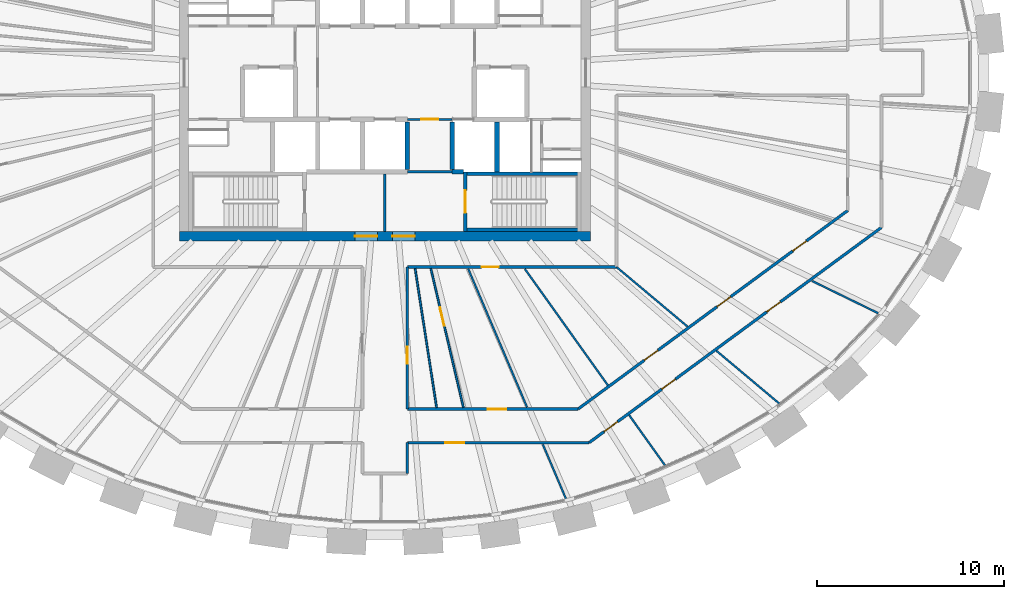
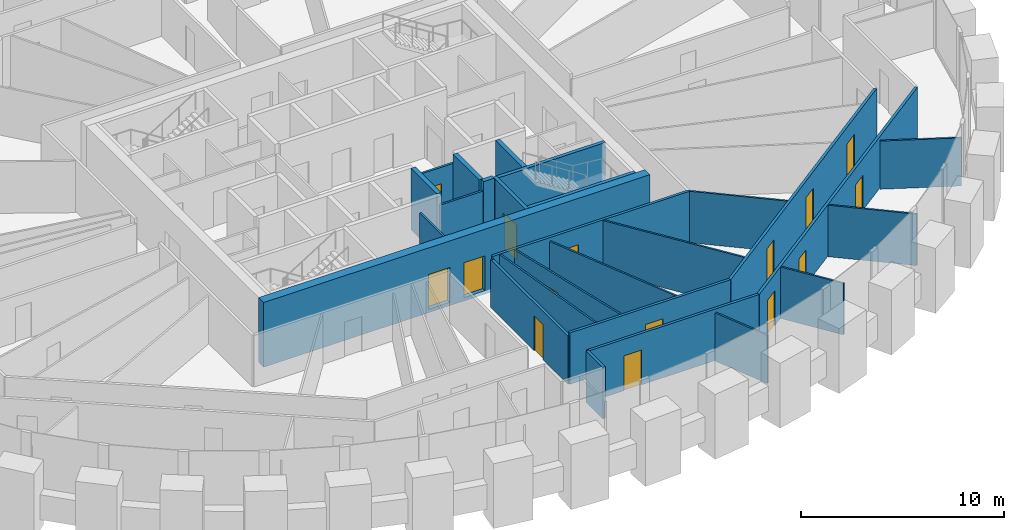
# One storey, part 8 of 12: 27 walls, 15 doors, 15 openings.
"""IFC4 building model written with IfcOpenShell, lengths in metres."""

from ifc_helpers import new_model, si_unit, direction, frame, frame_2d, origin, place, context, subcontext, project, spatial, rectangle, extrude, source, transform, mapped, material, layer, layer_set, type_object, element, fill, save


model = new_model("IFC4")

# Units and contexts
model_context = context("Model", 3, precision=1e-05, world=origin(), true_north=direction((0.0, 1.0)))
body_context = subcontext(model_context, "Body", "Model", "MODEL_VIEW")
ifc_project = project(units=[si_unit("LENGTHUNIT", "METRE"), si_unit("AREAUNIT", "SQUARE_METRE"), si_unit("VOLUMEUNIT", "CUBIC_METRE"), si_unit("PLANEANGLEUNIT", "RADIAN"), si_unit("MASSUNIT", "GRAM", prefix="KILO")], contexts=[model_context])

# Site, building, storey
site_placement = place(None, origin())
site = spatial("IfcSite", under=ifc_project, at=site_placement, CompositionType="ELEMENT")
building_placement = place(site_placement, origin())
building = spatial("IfcBuilding", under=site, at=building_placement, Name="Embergate Tower", CompositionType="ELEMENT")
storey_placement = place(building_placement, frame((0.0, 0.0, 273.39990234375)))
storey = spatial("IfcBuildingStorey", under=building, at=storey_placement, Name="L63", CompositionType="ELEMENT", Elevation=273.39990234375)

# Wall, openings, doors
ifc_material_1 = material(Name="Concrete C50", Category="concrete")
ifc_layer_1 = layer(ifc_material_1, 0.5)
ifc_layer_set_1 = layer_set([ifc_layer_1], Name="Concrete C50")
wall_type_1 = type_object("IfcWallType", Name="Core outer wall C50 500", PredefinedType="SHEAR", material=ifc_layer_set_1)
shared_shape_1 = source(origin(), body_context, "Body", "SweptSolid", [
    extrude(rectangle(XDim=22.0, YDim=0.5, at=frame_2d((11.0, 0.0))), origin(), (0.0, 0.0, 1.0), 3.900146484375),
])
wall_1_placement = place(storey_placement, frame((-11.0, -8.75, -0.199951171875), z_axis=(0.0, 0.0, 1.0), x_axis=(1.0, 0.0, 0.0)))
wall_1 = element("IfcWall", 1, at=wall_1_placement, inside=storey, type_object=wall_type_1, Name="CW-L63-S", PredefinedType="SHEAR", context=body_context, shape_type="MappedRepresentation", body=[
    mapped(shared_shape_1, transform((0.0, 0.0, 0.0))),
])
shared_shape_2 = source(origin(), body_context, "Body", "SweptSolid", [
    extrude(rectangle(XDim=1.199951171875, YDim=2.10009765625, at=frame_2d((0.60009765625, 1.050048828125))), frame((0.0, 0.260009765625, 0.0), z_axis=(0.0, -1.0, 0.0), x_axis=(1.0, 0.0, 0.0)), (0.0, 0.0, 1.0), 0.52001953125),
])
opening_1_placement = place(wall_1_placement, frame((9.39990234375, 0.0, 0.199951171875)))
opening_1 = element("IfcOpeningElement", 2, at=opening_1_placement, cuts=wall_1, Name="Opening IF-1", PredefinedType="OPENING", context=body_context, shape_type="MappedRepresentation", body=[
    mapped(shared_shape_2, transform((0.0, 0.0, 0.0))),
])
opening_2_placement = place(wall_1_placement, frame((11.39990234375, 0.0, 0.199951171875)))
opening_2 = element("IfcOpeningElement", 3, at=opening_2_placement, cuts=wall_1, Name="Opening IF-1", PredefinedType="OPENING", context=body_context, shape_type="MappedRepresentation", body=[
    mapped(shared_shape_2, transform((0.0, 0.0, 0.0))),
])
ifc_material_2 = material(Name="Escape fire door 1200")
door_type_1 = type_object("IfcDoorType", Name="Escape fire door 1200", OperationType="SINGLE_SWING_LEFT", PredefinedType="DOOR", material=ifc_material_2)
shared_shape_3 = source(origin(), body_context, "Body", "SweptSolid", [
    extrude(rectangle(XDim=1.199951171875, YDim=2.10009765625, at=frame_2d((0.60009765625, 1.050048828125))), frame((0.0, 0.02490234375, 0.0), z_axis=(0.0, -1.0, 0.0), x_axis=(1.0, 0.0, 0.0)), (0.0, 0.0, 1.0), 0.050048828125),
])
door_1_placement = place(opening_1_placement, origin())
door_1 = element("IfcDoor", 4, at=door_1_placement, inside=storey, type_object=door_type_1, Name="IF-1 door", OperationType="SINGLE_SWING_RIGHT", OverallHeight=2.10009765625, OverallWidth=1.199951171875, PredefinedType="DOOR", context=body_context, shape_type="MappedRepresentation", body=[
    mapped(shared_shape_3, transform((0.0, 0.0, 0.0))),
])
fill(opening_1, door_1)
door_2_placement = place(opening_2_placement, origin())
door_2 = element("IfcDoor", 5, at=door_2_placement, inside=storey, type_object=door_type_1, Name="IF-1 door", OperationType="SINGLE_SWING_RIGHT", OverallHeight=2.10009765625, OverallWidth=1.199951171875, PredefinedType="DOOR", context=body_context, shape_type="MappedRepresentation", body=[
    mapped(shared_shape_3, transform((0.0, 0.0, 0.0))),
])
fill(opening_2, door_2)

# Walls
ifc_layer_2 = layer(ifc_material_1, 0.25)
ifc_layer_set_2 = layer_set([ifc_layer_2], Name="Concrete C50")
wall_type_2 = type_object("IfcWallType", Name="Hoistway wall reinforced concrete 250", PredefinedType="SHEAR", material=ifc_layer_set_2)
shared_shape_4 = source(origin(), body_context, "Body", "SweptSolid", [
    extrude(rectangle(XDim=2.675048828125, YDim=0.25, at=frame_2d((1.33740234375, 0.0))), origin(), (0.0, 0.0, 1.0), 3.7001953125),
])
wall_2_placement = place(storey_placement, frame((6.0, -5.300048828125, 0.0), z_axis=(0.0, 0.0, 1.0), x_axis=(0.0, 1.0, 0.0)))
element("IfcWall", 6, at=wall_2_placement, inside=storey, type_object=wall_type_2, Name="HW-1 wall", PredefinedType="SHEAR", context=body_context, shape_type="MappedRepresentation", body=[
    mapped(shared_shape_4, transform((0.0, 0.0, 0.0))),
])
ifc_layer_3 = layer(ifc_material_1, 0.199951171875)
ifc_layer_set_3 = layer_set([ifc_layer_3], Name="Concrete C50")
wall_type_3 = type_object("IfcWallType", Name="Stair enclosure wall reinforced concrete 250", PredefinedType="SHEAR", material=ifc_layer_set_3)
shared_shape_5 = source(origin(), body_context, "Body", "SweptSolid", [
    extrude(rectangle(XDim=6.300048828125, YDim=0.199951171875, at=frame_2d((3.14990234375, 0.0))), origin(), (0.0, 0.0, 1.0), 3.7001953125),
])
wall_3_placement = place(storey_placement, frame((4.199951171875, -5.39990234375, 0.0), z_axis=(0.0, 0.0, 1.0), x_axis=(1.0, 0.0, 0.0)))
element("IfcWall", 7, at=wall_3_placement, inside=storey, type_object=wall_type_3, Name="SE-1 wall", PredefinedType="SHEAR", context=body_context, shape_type="MappedRepresentation", body=[
    mapped(shared_shape_5, transform((0.0, 0.0, 0.0))),
])
shared_shape_6 = source(origin(), body_context, "Body", "SweptSolid", [
    extrude(rectangle(XDim=2.550048828125, YDim=0.25, at=frame_2d((1.27490234375, 0.0))), origin(), (0.0, 0.0, 1.0), 3.7001953125),
])
for number, where, z_axis, x_axis, name in (
    (8, (1.199951171875, -5.175048828125, 0.0), (0.0, 0.0, 1.0), (0.0, 1.0, 0.0), "HW-1 wall"),
    (9, (3.60009765625, -2.625, 0.0), (0.0, 0.0, 1.0), (0.0, -1.0, 0.0), "HW-1 wall"),
):
    element("IfcWall", number, at=place(storey_placement, frame(where, z_axis=z_axis, x_axis=x_axis)), inside=storey, type_object=wall_type_2, Name=name, PredefinedType="SHEAR", context=body_context, shape_type="MappedRepresentation", body=[
        mapped(shared_shape_6, transform((0.0, 0.0, 0.0))),
    ])

# Wall, opening, door
shared_shape_7 = source(origin(), body_context, "Body", "SweptSolid", [
    extrude(rectangle(XDim=3.199951171875, YDim=0.199951171875, at=frame_2d((1.60009765625, 0.0))), origin(), (0.0, 0.0, 1.0), 3.7001953125),
])
wall_4_placement = place(storey_placement, frame((4.300048828125, -5.300048828125, 0.0), z_axis=(0.0, 0.0, 1.0), x_axis=(0.0, -1.0, 0.0)))
wall_4 = element("IfcWall", 10, at=wall_4_placement, inside=storey, type_object=wall_type_3, Name="SE-1 wall", PredefinedType="SHEAR", context=body_context, shape_type="MappedRepresentation", body=[
    mapped(shared_shape_7, transform((0.0, 0.0, 0.0))),
])
shared_shape_8 = source(origin(), body_context, "Body", "SweptSolid", [
    extrude(rectangle(XDim=1.199951171875, YDim=2.10009765625, at=frame_2d((0.60009765625, 1.050048828125))), frame((0.0, 0.10986328125, 0.0), z_axis=(0.0, -1.0, 0.0), x_axis=(1.0, 0.0, 0.0)), (0.0, 0.0, 1.0), 0.219970703125),
])
opening_3_placement = place(wall_4_placement, frame((1.0, 0.0, 0.0)))
opening_3 = element("IfcOpeningElement", 11, at=opening_3_placement, cuts=wall_4, Name="Opening IF-2", PredefinedType="OPENING", context=body_context, shape_type="MappedRepresentation", body=[
    mapped(shared_shape_8, transform((0.0, 0.0, 0.0))),
])
ifc_material_3 = material(Name="Stair enclosure door 1200")
door_type_2 = type_object("IfcDoorType", Name="Stair enclosure door 1200", OperationType="SINGLE_SWING_LEFT", PredefinedType="DOOR", material=ifc_material_3)
door_3_placement = place(opening_3_placement, origin())
door_3 = element("IfcDoor", 12, at=door_3_placement, inside=storey, type_object=door_type_2, Name="IF-2 door", OperationType="SINGLE_SWING_RIGHT", OverallHeight=2.10009765625, OverallWidth=1.199951171875, PredefinedType="DOOR", context=body_context, shape_type="MappedRepresentation", body=[
    mapped(shared_shape_3, transform((0.0, 0.0, 0.0))),
])
fill(opening_3, door_3)

# Wall
shared_shape_9 = source(origin(), body_context, "Body", "SweptSolid", [
    extrude(rectangle(XDim=0.599853515625, YDim=0.25, at=frame_2d((0.2998046875, 0.0))), origin(), (0.0, 0.0, 1.0), 3.7001953125),
])
wall_5_placement = place(storey_placement, frame((3.60009765625, -5.300048828125, 0.0), z_axis=(0.0, 0.0, 1.0), x_axis=(1.0, 0.0, 0.0)))
element("IfcWall", 13, at=wall_5_placement, inside=storey, type_object=wall_type_2, Name="HW-1 wall", PredefinedType="SHEAR", context=body_context, shape_type="MappedRepresentation", body=[
    mapped(shared_shape_9, transform((0.0, 0.0, 0.0))),
])

# Wall, opening, door
ifc_material_4 = material(Name="Corridor wall dry-lined 150")
ifc_layer_4 = layer(ifc_material_4, 0.14990234375)
ifc_layer_set_4 = layer_set([ifc_layer_4], Name="Corridor wall dry-lined 150")
wall_type_4 = type_object("IfcWallType", Name="Corridor wall dry-lined 150", PredefinedType="PARTITIONING", material=ifc_layer_set_4)
shared_shape_10 = source(origin(), body_context, "Body", "SweptSolid", [
    extrude(rectangle(XDim=11.199951171875, YDim=0.14990234375, at=frame_2d((5.60009765625, 0.0))), origin(), (0.0, 0.0, 1.0), 3.10009765625),
])
wall_6_placement = place(storey_placement, frame((12.39990234375, -10.39990234375, 0.0), z_axis=(0.0, 0.0, 1.0), x_axis=(-1.0, 0.0, 0.0)))
wall_6 = element("IfcWall", 14, at=wall_6_placement, inside=storey, type_object=wall_type_4, Name="IP-2 wall", PredefinedType="PARTITIONING", context=body_context, shape_type="MappedRepresentation", body=[
    mapped(shared_shape_10, transform((0.0, 0.0, 0.0))),
])
shared_shape_11 = source(origin(), body_context, "Body", "SweptSolid", [
    extrude(rectangle(XDim=0.89990234375, YDim=2.10009765625, at=frame_2d((0.449951171875, 1.050048828125))), frame((0.0, 0.0849609375, 0.0), z_axis=(0.0, -1.0, 0.0), x_axis=(1.0, 0.0, 0.0)), (0.0, 0.0, 1.0), 0.169921875),
])
opening_4_placement = place(wall_6_placement, frame((6.31396484375, 0.0, 0.0)))
opening_4 = element("IfcOpeningElement", 15, at=opening_4_placement, cuts=wall_6, Name="Opening IF-1c", PredefinedType="OPENING", context=body_context, shape_type="MappedRepresentation", body=[
    mapped(shared_shape_11, transform((0.0, 0.0, 0.0))),
])
ifc_material_5 = material(Name="Escape fire door 900")
door_type_3 = type_object("IfcDoorType", Name="Escape fire door 900", OperationType="SINGLE_SWING_LEFT", PredefinedType="DOOR", material=ifc_material_5)
shared_shape_12 = source(origin(), body_context, "Body", "SweptSolid", [
    extrude(rectangle(XDim=0.89990234375, YDim=2.10009765625, at=frame_2d((0.449951171875, 1.050048828125))), frame((0.0, 0.02490234375, 0.0), z_axis=(0.0, -1.0, 0.0), x_axis=(1.0, 0.0, 0.0)), (0.0, 0.0, 1.0), 0.050048828125),
])
door_4_placement = place(opening_4_placement, origin())
door_4 = element("IfcDoor", 16, at=door_4_placement, inside=storey, type_object=door_type_3, Name="IF-1 door", OperationType="SINGLE_SWING_RIGHT", OverallHeight=2.10009765625, OverallWidth=0.89990234375, PredefinedType="DOOR", context=body_context, shape_type="MappedRepresentation", body=[
    mapped(shared_shape_12, transform((0.0, 0.0, 0.0))),
])
fill(opening_4, door_4)

ifc_material_6 = material(Name="Core partition blockwork 120")
ifc_layer_5 = layer(ifc_material_6, 0.1201171875)
ifc_layer_set_5 = layer_set([ifc_layer_5], Name="Core partition blockwork 120")
wall_type_5 = type_object("IfcWallType", Name="Core partition blockwork 120", PredefinedType="PARTITIONING", material=ifc_layer_set_5)
shared_shape_13 = source(origin(), body_context, "Body", "SweptSolid", [
    extrude(rectangle(XDim=2.400146484375, YDim=0.1201171875, at=frame_2d((1.2001953125, 0.0))), origin(), (0.0, 0.0, 1.0), 3.10009765625),
])
wall_7_placement = place(storey_placement, frame((1.199951171875, -2.5, 0.0), z_axis=(0.0, 0.0, 1.0), x_axis=(1.0, 0.0, 0.0)))
wall_7 = element("IfcWall", 17, at=wall_7_placement, inside=storey, type_object=wall_type_5, Name="IP-3 wall", PredefinedType="PARTITIONING", context=body_context, shape_type="MappedRepresentation", body=[
    mapped(shared_shape_13, transform((0.0, 0.0, 0.0))),
])
shared_shape_14 = source(origin(), body_context, "Body", "SweptSolid", [
    extrude(rectangle(XDim=0.89990234375, YDim=2.10009765625, at=frame_2d((0.449951171875, 1.050048828125))), frame((0.0, 0.070068359375, 0.0), z_axis=(0.0, -1.0, 0.0), x_axis=(1.0, 0.0, 0.0)), (0.0, 0.0, 1.0), 0.14013671875),
])
opening_5_placement = place(wall_7_placement, frame((0.75, 0.0, 0.0)))
opening_5 = element("IfcOpeningElement", 18, at=opening_5_placement, cuts=wall_7, Name="Opening ID-1", PredefinedType="OPENING", context=body_context, shape_type="MappedRepresentation", body=[
    mapped(shared_shape_14, transform((0.0, 0.0, 0.0))),
])
ifc_material_7 = material(Name="Interior door 900")
door_type_4 = type_object("IfcDoorType", Name="Interior door 900", OperationType="SINGLE_SWING_LEFT", PredefinedType="DOOR", material=ifc_material_7)
door_5_placement = place(opening_5_placement, origin())
door_5 = element("IfcDoor", 19, at=door_5_placement, inside=storey, type_object=door_type_4, Name="ID-1 door", OperationType="SINGLE_SWING_LEFT", OverallHeight=2.10009765625, OverallWidth=0.89990234375, PredefinedType="DOOR", context=body_context, shape_type="MappedRepresentation", body=[
    mapped(shared_shape_12, transform((0.0, 0.0, 0.0))),
])
fill(opening_5, door_5)

# Walls
wall_8_placement = place(storey_placement, frame((3.60009765625, -5.300048828125, 0.0), z_axis=(0.0, 0.0, 1.0), x_axis=(-1.0, 0.0, 0.0)))
element("IfcWall", 20, at=wall_8_placement, inside=storey, type_object=wall_type_5, Name="IP-3 wall", PredefinedType="PARTITIONING", context=body_context, shape_type="MappedRepresentation", body=[
    mapped(shared_shape_13, transform((0.0, 0.0, 0.0))),
])
shared_shape_15 = source(origin(), body_context, "Body", "SweptSolid", [
    extrude(rectangle(XDim=3.074951171875, YDim=0.1201171875, at=frame_2d((1.53759765625, 0.0))), origin(), (0.0, 0.0, 1.0), 3.10009765625),
])
wall_9_placement = place(storey_placement, frame((0.0, -8.5, 0.0), z_axis=(0.0, 0.0, 1.0), x_axis=(0.0, 1.0, 0.0)))
element("IfcWall", 21, at=wall_9_placement, inside=storey, type_object=wall_type_5, Name="IP-3 wall", PredefinedType="PARTITIONING", context=body_context, shape_type="MappedRepresentation", body=[
    mapped(shared_shape_15, transform((0.0, 0.0, 0.0))),
])
shared_shape_16 = source(origin(), body_context, "Body", "SweptSolid", [
    extrude(rectangle(XDim=6.298095703125, YDim=0.199951171875, at=frame_2d((3.14892578125, 0.0))), origin(), (0.0, 0.0, 1.0), 3.7001953125),
])
wall_10_placement = place(storey_placement, frame((4.201904296875, -8.39990234375, 0.0), z_axis=(0.0, 0.0, 1.0), x_axis=(1.0, 0.0, 0.0)))
element("IfcWall", 22, at=wall_10_placement, inside=storey, type_object=wall_type_3, Name="SE-1 wall", PredefinedType="SHEAR", context=body_context, shape_type="MappedRepresentation", body=[
    mapped(shared_shape_16, transform((0.0, 0.0, 0.0))),
])

# Wall, openings, doors
ifc_material_8 = material(Name="Corridor wall dry-lined 150 wet")
ifc_layer_6 = layer(ifc_material_8, 0.14990234375)
ifc_layer_set_6 = layer_set([ifc_layer_6], Name="Corridor wall dry-lined 150 wet")
wall_type_6 = type_object("IfcWallType", Name="Corridor wall dry-lined 150 wet", PredefinedType="PLUMBINGWALL", material=ifc_layer_set_6)
shared_shape_17 = source(origin(), body_context, "Body", "SweptSolid", [
    extrude(rectangle(XDim=19.429931640625, YDim=0.14990234375, at=frame_2d((9.71484375, 0.0))), origin(), (0.0, 0.0, 1.0), 3.10009765625),
])
wall_11_placement = place(storey_placement, frame((26.5810546875, -8.283935546875, 0.0), z_axis=(0.0, 0.0, 1.0), x_axis=(-0.8053507143, -0.592798639486, 0.0)))
wall_11 = element("IfcWall", 23, at=wall_11_placement, inside=storey, type_object=wall_type_6, Name="IP-2 wall", PredefinedType="PLUMBINGWALL", context=body_context, shape_type="MappedRepresentation", body=[
    mapped(shared_shape_17, transform((0.0, 0.0, 0.0))),
])
opening_6_placement = place(wall_11_placement, frame((17.53515625, 0.0, 0.0)))
opening_6 = element("IfcOpeningElement", 24, at=opening_6_placement, cuts=wall_11, Name="Opening IF-1c", PredefinedType="OPENING", context=body_context, shape_type="MappedRepresentation", body=[
    mapped(shared_shape_11, transform((0.0, 0.0, 0.0))),
])
opening_7_placement = place(wall_11_placement, frame((13.70068359375, 0.0, 0.0)))
opening_7 = element("IfcOpeningElement", 25, at=opening_7_placement, cuts=wall_11, Name="Opening IF-1c", PredefinedType="OPENING", context=body_context, shape_type="MappedRepresentation", body=[
    mapped(shared_shape_11, transform((0.0, 0.0, 0.0))),
])
opening_8_placement = place(wall_11_placement, frame((6.720703125, 0.0, 0.0)))
opening_8 = element("IfcOpeningElement", 26, at=opening_8_placement, cuts=wall_11, Name="Opening IF-1c", PredefinedType="OPENING", context=body_context, shape_type="MappedRepresentation", body=[
    mapped(shared_shape_11, transform((0.0, 0.0, 0.0))),
])
door_6_placement = place(opening_6_placement, origin())
door_6 = element("IfcDoor", 27, at=door_6_placement, inside=storey, type_object=door_type_3, Name="IF-1 door", OperationType="SINGLE_SWING_LEFT", OverallHeight=2.10009765625, OverallWidth=0.89990234375, PredefinedType="DOOR", context=body_context, shape_type="MappedRepresentation", body=[
    mapped(shared_shape_12, transform((0.0, 0.0, 0.0))),
])
fill(opening_6, door_6)
door_7_placement = place(opening_7_placement, origin())
door_7 = element("IfcDoor", 28, at=door_7_placement, inside=storey, type_object=door_type_3, Name="IF-1 door", OperationType="SINGLE_SWING_RIGHT", OverallHeight=2.10009765625, OverallWidth=0.89990234375, PredefinedType="DOOR", context=body_context, shape_type="MappedRepresentation", body=[
    mapped(shared_shape_12, transform((0.0, 0.0, 0.0))),
])
fill(opening_7, door_7)
door_8_placement = place(opening_8_placement, origin())
door_8 = element("IfcDoor", 29, at=door_8_placement, inside=storey, type_object=door_type_3, Name="IF-1 door", OperationType="SINGLE_SWING_RIGHT", OverallHeight=2.10009765625, OverallWidth=0.89990234375, PredefinedType="DOOR", context=body_context, shape_type="MappedRepresentation", body=[
    mapped(shared_shape_12, transform((0.0, 0.0, 0.0))),
])
fill(opening_8, door_8)

# Wall, opening, door
shared_shape_18 = source(origin(), body_context, "Body", "SweptSolid", [
    extrude(rectangle(XDim=9.733154296875, YDim=0.14990234375, at=frame_2d((4.86669921875, 0.0))), origin(), (0.0, 0.0, 1.0), 3.10009765625),
])
wall_12_placement = place(storey_placement, frame((10.93310546875, -19.802001953125, 0.0), z_axis=(0.0, 0.0, 1.0), x_axis=(-1.0, 0.0, 0.0)))
wall_12 = element("IfcWall", 30, at=wall_12_placement, inside=storey, type_object=wall_type_4, Name="IP-2 wall", PredefinedType="PARTITIONING", context=body_context, shape_type="MappedRepresentation", body=[
    mapped(shared_shape_18, transform((0.0, 0.0, 0.0))),
])
shared_shape_19 = source(origin(), body_context, "Body", "SweptSolid", [
    extrude(rectangle(XDim=1.0, YDim=2.10009765625, at=frame_2d((0.5, 1.050048828125))), frame((0.0, 0.0849609375, 0.0), z_axis=(0.0, -1.0, 0.0), x_axis=(1.0, 0.0, 0.0)), (0.0, 0.0, 1.0), 0.169921875),
])
opening_9_placement = place(wall_12_placement, frame((6.69189453125, 0.0, 0.0)))
opening_9 = element("IfcOpeningElement", 31, at=opening_9_placement, cuts=wall_12, Name="Opening ID-2", PredefinedType="OPENING", context=body_context, shape_type="MappedRepresentation", body=[
    mapped(shared_shape_19, transform((0.0, 0.0, 0.0))),
])
ifc_material_9 = material(Name="Interior door 1000")
door_type_5 = type_object("IfcDoorType", Name="Interior door 1000", OperationType="SINGLE_SWING_LEFT", PredefinedType="DOOR", material=ifc_material_9)
shared_shape_20 = source(origin(), body_context, "Body", "SweptSolid", [
    extrude(rectangle(XDim=1.0, YDim=2.10009765625, at=frame_2d((0.5, 1.050048828125))), frame((0.0, 0.02490234375, 0.0), z_axis=(0.0, -1.0, 0.0), x_axis=(1.0, 0.0, 0.0)), (0.0, 0.0, 1.0), 0.050048828125),
])
door_9_placement = place(opening_9_placement, origin())
door_9 = element("IfcDoor", 32, at=door_9_placement, inside=storey, type_object=door_type_5, Name="ID-2 door", OperationType="SINGLE_SWING_LEFT", OverallHeight=2.10009765625, OverallWidth=1.0, PredefinedType="DOOR", context=body_context, shape_type="MappedRepresentation", body=[
    mapped(shared_shape_20, transform((0.0, 0.0, 0.0))),
])
fill(opening_9, door_9)

# Wall, openings, doors
shared_shape_21 = source(origin(), body_context, "Body", "SweptSolid", [
    extrude(rectangle(XDim=17.9287109375, YDim=0.14990234375, at=frame_2d((8.96435546875, 0.0))), origin(), (0.0, 0.0, 1.0), 3.10009765625),
])
wall_13_placement = place(storey_placement, frame((10.342041015625, -18.001953125, 0.0), z_axis=(0.0, 0.0, 1.0), x_axis=(0.805356928681, 0.592790196803, 0.0)))
wall_13 = element("IfcWall", 33, at=wall_13_placement, inside=storey, type_object=wall_type_6, Name="IP-2 wall", PredefinedType="PLUMBINGWALL", context=body_context, shape_type="MappedRepresentation", body=[
    mapped(shared_shape_21, transform((0.0, 0.0, 0.0))),
])
opening_10_placement = place(wall_13_placement, frame((4.39990234375, 0.0, 0.0)))
opening_10 = element("IfcOpeningElement", 34, at=opening_10_placement, cuts=wall_13, Name="Opening IF-1c", PredefinedType="OPENING", context=body_context, shape_type="MappedRepresentation", body=[
    mapped(shared_shape_11, transform((0.0, 0.0, 0.0))),
])
opening_11_placement = place(wall_13_placement, frame((9.24609375, 0.0, 0.0)))
opening_11 = element("IfcOpeningElement", 35, at=opening_11_placement, cuts=wall_13, Name="Opening IF-1c", PredefinedType="OPENING", context=body_context, shape_type="MappedRepresentation", body=[
    mapped(shared_shape_11, transform((0.0, 0.0, 0.0))),
])
opening_12_placement = place(wall_13_placement, frame((14.27001953125, 0.0, 0.0)))
opening_12 = element("IfcOpeningElement", 36, at=opening_12_placement, cuts=wall_13, Name="Opening IF-1c", PredefinedType="OPENING", context=body_context, shape_type="MappedRepresentation", body=[
    mapped(shared_shape_11, transform((0.0, 0.0, 0.0))),
])
door_10_placement = place(opening_10_placement, origin())
door_10 = element("IfcDoor", 37, at=door_10_placement, inside=storey, type_object=door_type_3, Name="IF-1 door", OperationType="SINGLE_SWING_RIGHT", OverallHeight=2.10009765625, OverallWidth=0.89990234375, PredefinedType="DOOR", context=body_context, shape_type="MappedRepresentation", body=[
    mapped(shared_shape_12, transform((0.0, 0.0, 0.0))),
])
fill(opening_10, door_10)
door_11_placement = place(opening_11_placement, origin())
door_11 = element("IfcDoor", 38, at=door_11_placement, inside=storey, type_object=door_type_3, Name="IF-1 door", OperationType="SINGLE_SWING_LEFT", OverallHeight=2.10009765625, OverallWidth=0.89990234375, PredefinedType="DOOR", context=body_context, shape_type="MappedRepresentation", body=[
    mapped(shared_shape_12, transform((0.0, 0.0, 0.0))),
])
fill(opening_11, door_11)
door_12_placement = place(opening_12_placement, origin())
door_12 = element("IfcDoor", 39, at=door_12_placement, inside=storey, type_object=door_type_3, Name="IF-1 door", OperationType="SINGLE_SWING_LEFT", OverallHeight=2.10009765625, OverallWidth=0.89990234375, PredefinedType="DOOR", context=body_context, shape_type="MappedRepresentation", body=[
    mapped(shared_shape_12, transform((0.0, 0.0, 0.0))),
])
fill(opening_12, door_12)

# Wall, opening, door
shared_shape_22 = source(origin(), body_context, "Body", "SweptSolid", [
    extrude(rectangle(XDim=9.14208984375, YDim=0.14990234375, at=frame_2d((4.571044921875, 0.0))), origin(), (0.0, 0.0, 1.0), 3.10009765625),
])
wall_14_placement = place(storey_placement, frame((1.199951171875, -18.001953125, 0.0), z_axis=(0.0, 0.0, 1.0), x_axis=(1.0, 0.0, 0.0)))
wall_14 = element("IfcWall", 40, at=wall_14_placement, inside=storey, type_object=wall_type_4, Name="IP-2 wall", PredefinedType="PARTITIONING", context=body_context, shape_type="MappedRepresentation", body=[
    mapped(shared_shape_22, transform((0.0, 0.0, 0.0))),
])
opening_13_placement = place(wall_14_placement, frame((4.31103515625, 0.0, 0.0)))
opening_13 = element("IfcOpeningElement", 41, at=opening_13_placement, cuts=wall_14, Name="Opening ID-2", PredefinedType="OPENING", context=body_context, shape_type="MappedRepresentation", body=[
    mapped(shared_shape_19, transform((0.0, 0.0, 0.0))),
])
door_13_placement = place(opening_13_placement, origin())
door_13 = element("IfcDoor", 42, at=door_13_placement, inside=storey, type_object=door_type_5, Name="ID-2 door", OperationType="SINGLE_SWING_LEFT", OverallHeight=2.10009765625, OverallWidth=1.0, PredefinedType="DOOR", context=body_context, shape_type="MappedRepresentation", body=[
    mapped(shared_shape_20, transform((0.0, 0.0, 0.0))),
])
fill(opening_13, door_13)

# Walls
shared_shape_23 = source(origin(), body_context, "Body", "SweptSolid", [
    extrude(rectangle(XDim=1.656982421875, YDim=0.14990234375, at=frame_2d((0.82861328125, 0.0))), origin(), (0.0, 0.0, 1.0), 3.10009765625),
])
wall_15_placement = place(storey_placement, frame((1.199951171875, -19.802001953125, 0.0), z_axis=(0.0, 0.0, 1.0), x_axis=(0.0, -1.0, 0.0)))
element("IfcWall", 43, at=wall_15_placement, inside=storey, type_object=wall_type_4, Name="IP-2 wall", PredefinedType="PARTITIONING", context=body_context, shape_type="MappedRepresentation", body=[
    mapped(shared_shape_23, transform((0.0, 0.0, 0.0))),
])
ifc_material_10 = material(Name="Partition dry-lined 100")
ifc_layer_7 = layer(ifc_material_10, 0.10009765625)
ifc_layer_set_7 = layer_set([ifc_layer_7], Name="Partition dry-lined 100")
wall_type_7 = type_object("IfcWallType", Name="Partition dry-lined 100", PredefinedType="PARTITIONING", material=ifc_layer_set_7)
shared_shape_24 = source(origin(), body_context, "Body", "SweptSolid", [
    extrude(rectangle(XDim=7.524169921875, YDim=0.10009765625, at=frame_2d((3.76220703125, 0.0))), origin(), (0.0, 0.0, 1.0), 3.10009765625),
])
wall_16_placement = place(storey_placement, frame((1.6201171875, -10.48291015625, 0.0), z_axis=(0.0, 0.0, 1.0), x_axis=(0.152695966135, -0.988273212187, 0.0)))
element("IfcWall", 44, at=wall_16_placement, inside=storey, type_object=wall_type_7, Name="IP-1 wall", PredefinedType="PARTITIONING", context=body_context, shape_type="MappedRepresentation", body=[
    mapped(shared_shape_24, transform((0.0, 0.0, 0.0))),
])

# Wall, opening, door
shared_shape_25 = source(origin(), body_context, "Body", "SweptSolid", [
    extrude(rectangle(XDim=7.630859375, YDim=0.10009765625, at=frame_2d((3.8154296875, 0.0))), origin(), (0.0, 0.0, 1.0), 3.10009765625),
])
wall_17_placement = place(storey_placement, frame((2.4609375, -10.486083984375, 0.0), z_axis=(0.0, 0.0, 1.0), x_axis=(0.228561397008, -0.973529500219, 0.0)))
wall_17 = element("IfcWall", 45, at=wall_17_placement, inside=storey, type_object=wall_type_7, Name="IP-1 wall", PredefinedType="PARTITIONING", context=body_context, shape_type="MappedRepresentation", body=[
    mapped(shared_shape_25, transform((0.0, 0.0, 0.0))),
])
shared_shape_26 = source(origin(), body_context, "Body", "SweptSolid", [
    extrude(rectangle(XDim=1.0, YDim=2.10009765625, at=frame_2d((0.5, 1.050048828125))), frame((0.0, 0.06005859375, 0.0), z_axis=(0.0, -1.0, 0.0), x_axis=(1.0, 0.0, 0.0)), (0.0, 0.0, 1.0), 0.1201171875),
])
opening_14_placement = place(wall_17_placement, frame((2.135498046875, 0.0, 0.0)))
opening_14 = element("IfcOpeningElement", 46, at=opening_14_placement, cuts=wall_17, Name="Opening ID-2", PredefinedType="OPENING", context=body_context, shape_type="MappedRepresentation", body=[
    mapped(shared_shape_26, transform((0.0, 0.0, 0.0))),
])
door_14_placement = place(opening_14_placement, origin())
door_14 = element("IfcDoor", 47, at=door_14_placement, inside=storey, type_object=door_type_5, Name="ID-2 door", OperationType="SINGLE_SWING_RIGHT", OverallHeight=2.10009765625, OverallWidth=1.0, PredefinedType="DOOR", context=body_context, shape_type="MappedRepresentation", body=[
    mapped(shared_shape_20, transform((0.0, 0.0, 0.0))),
])
fill(opening_14, door_14)

# Walls
ifc_material_11 = material(Name="Partition dry-lined 100 wet")
ifc_layer_8 = layer(ifc_material_11, 0.10009765625)
ifc_layer_set_8 = layer_set([ifc_layer_8], Name="Partition dry-lined 100 wet")
wall_type_8 = type_object("IfcWallType", Name="Partition dry-lined 100 wet", PredefinedType="PLUMBINGWALL", material=ifc_layer_set_8)
shared_shape_27 = source(origin(), body_context, "Body", "SweptSolid", [
    extrude(rectangle(XDim=3.422607421875, YDim=0.10009765625, at=frame_2d((1.71142578125, 0.0))), origin(), (0.0, 0.0, 1.0), 3.10009765625),
])
wall_18_placement = place(storey_placement, frame((13.072021484375, -18.320068359375, 0.0), z_axis=(0.0, 0.0, 1.0), x_axis=(0.58087375304, -0.81399366277, 0.0)))
element("IfcWall", 48, at=wall_18_placement, inside=storey, type_object=wall_type_8, Name="IP-1 wall", PredefinedType="PLUMBINGWALL", context=body_context, shape_type="MappedRepresentation", body=[
    mapped(shared_shape_27, transform((0.0, 0.0, 0.0))),
])
shared_shape_28 = source(origin(), body_context, "Body", "SweptSolid", [
    extrude(rectangle(XDim=4.459716796875, YDim=0.10009765625, at=frame_2d((2.22998046875, 0.0))), origin(), (0.0, 0.0, 1.0), 3.10009765625),
])
wall_19_placement = place(storey_placement, frame((17.75390625, -14.888916015625, 0.0), z_axis=(0.0, 0.0, 1.0), x_axis=(0.766180239973, -0.642625738571, 0.0)))
element("IfcWall", 49, at=wall_19_placement, inside=storey, type_object=wall_type_8, Name="IP-1 wall", PredefinedType="PLUMBINGWALL", context=body_context, shape_type="MappedRepresentation", body=[
    mapped(shared_shape_28, transform((0.0, 0.0, 0.0))),
])
shared_shape_29 = source(origin(), body_context, "Body", "SweptSolid", [
    extrude(rectangle(XDim=7.65234375, YDim=0.10009765625, at=frame_2d((3.826171875, 0.0))), origin(), (0.0, 0.0, 1.0), 3.10009765625),
])
wall_20_placement = place(storey_placement, frame((7.4951171875, -10.50390625, 0.0), z_axis=(0.0, 0.0, 1.0), x_axis=(0.580851826086, -0.81400930961, 0.0)))
element("IfcWall", 50, at=wall_20_placement, inside=storey, type_object=wall_type_8, Name="IP-1 wall", PredefinedType="PLUMBINGWALL", context=body_context, shape_type="MappedRepresentation", body=[
    mapped(shared_shape_29, transform((0.0, 0.0, 0.0))),
])
shared_shape_30 = source(origin(), body_context, "Body", "SweptSolid", [
    extrude(rectangle(XDim=4.956787109375, YDim=0.10009765625, at=frame_2d((2.478515625, 0.0))), origin(), (0.0, 0.0, 1.0), 3.10009765625),
])
wall_21_placement = place(storey_placement, frame((12.39990234375, -10.39892578125, 0.0), z_axis=(0.0, 0.0, 1.0), x_axis=(0.766235348902, -0.642560028397, 0.0)))
element("IfcWall", 51, at=wall_21_placement, inside=storey, type_object=wall_type_8, Name="IP-1 wall", PredefinedType="PLUMBINGWALL", context=body_context, shape_type="MappedRepresentation", body=[
    mapped(shared_shape_30, transform((0.0, 0.0, 0.0))),
])

# Wall, opening, door
shared_shape_31 = source(origin(), body_context, "Body", "SweptSolid", [
    extrude(rectangle(XDim=7.60205078125, YDim=0.14990234375, at=frame_2d((3.801025390625, 0.0))), origin(), (0.0, 0.0, 1.0), 2.900146484375),
])
wall_22_placement = place(storey_placement, frame((1.199951171875, -10.39990234375, 0.0), z_axis=(0.0, 0.0, 1.0), x_axis=(0.0, -1.0, 0.0)))
wall_22 = element("IfcWall", 52, at=wall_22_placement, inside=storey, type_object=wall_type_4, Name="IP-2 wall", PredefinedType="PARTITIONING", context=body_context, shape_type="MappedRepresentation", body=[
    mapped(shared_shape_31, transform((0.0, 0.0, 0.0))),
])
opening_15_placement = place(wall_22_placement, frame((4.26611328125, 0.0, 0.0)))
opening_15 = element("IfcOpeningElement", 53, at=opening_15_placement, cuts=wall_22, Name="Opening IF-1c", PredefinedType="OPENING", context=body_context, shape_type="MappedRepresentation", body=[
    mapped(shared_shape_11, transform((0.0, 0.0, 0.0))),
])
door_15_placement = place(opening_15_placement, origin())
door_15 = element("IfcDoor", 54, at=door_15_placement, inside=storey, type_object=door_type_3, Name="IF-1 door", OperationType="SINGLE_SWING_RIGHT", OverallHeight=2.10009765625, OverallWidth=0.89990234375, PredefinedType="DOOR", context=body_context, shape_type="MappedRepresentation", body=[
    mapped(shared_shape_12, transform((0.0, 0.0, 0.0))),
])
fill(opening_15, door_15)

# Walls
shared_shape_32 = source(origin(), body_context, "Body", "SweptSolid", [
    extrude(rectangle(XDim=4.029052734375, YDim=0.10009765625, at=frame_2d((2.0146484375, 0.0))), origin(), (0.0, 0.0, 1.0), 2.900146484375),
])
wall_23_placement = place(storey_placement, frame((22.863037109375, -11.14306640625, 0.0), z_axis=(0.0, 0.0, 1.0), x_axis=(0.898961115704, -0.43802843795, 0.0)))
element("IfcWall", 55, at=wall_23_placement, inside=storey, type_object=wall_type_8, Name="IP-1 wall", PredefinedType="PLUMBINGWALL", context=body_context, shape_type="MappedRepresentation", body=[
    mapped(shared_shape_32, transform((0.0, 0.0, 0.0))),
])
shared_shape_33 = source(origin(), body_context, "Body", "SweptSolid", [
    extrude(rectangle(XDim=3.234619140625, YDim=0.10009765625, at=frame_2d((1.6171875, 0.0))), origin(), (0.0, 0.0, 1.0), 2.900146484375),
])
wall_24_placement = place(storey_placement, frame((9.721923828125, -22.873046875, 0.0), z_axis=(0.0, 0.0, 1.0), x_axis=(-0.391047939918, 0.920370310628, 0.0)))
element("IfcWall", 56, at=wall_24_placement, inside=storey, type_object=wall_type_8, Name="IP-1 wall", PredefinedType="PLUMBINGWALL", context=body_context, shape_type="MappedRepresentation", body=[
    mapped(shared_shape_33, transform((0.0, 0.0, 0.0))),
])
shared_shape_34 = source(origin(), body_context, "Body", "SweptSolid", [
    extrude(rectangle(XDim=8.053955078125, YDim=0.10009765625, at=frame_2d((4.02685546875, 0.0))), origin(), (0.0, 0.0, 1.0), 2.900146484375),
])
wall_25_placement = place(storey_placement, frame((7.612060546875, -17.906982421875, 0.0), z_axis=(0.0, 0.0, 1.0), x_axis=(-0.391254252204, 0.920282625139, 0.0)))
element("IfcWall", 57, at=wall_25_placement, inside=storey, type_object=wall_type_8, Name="IP-1 wall", PredefinedType="PLUMBINGWALL", context=body_context, shape_type="MappedRepresentation", body=[
    mapped(shared_shape_34, transform((0.0, 0.0, 0.0))),
])

save(model, "model.ifc")
